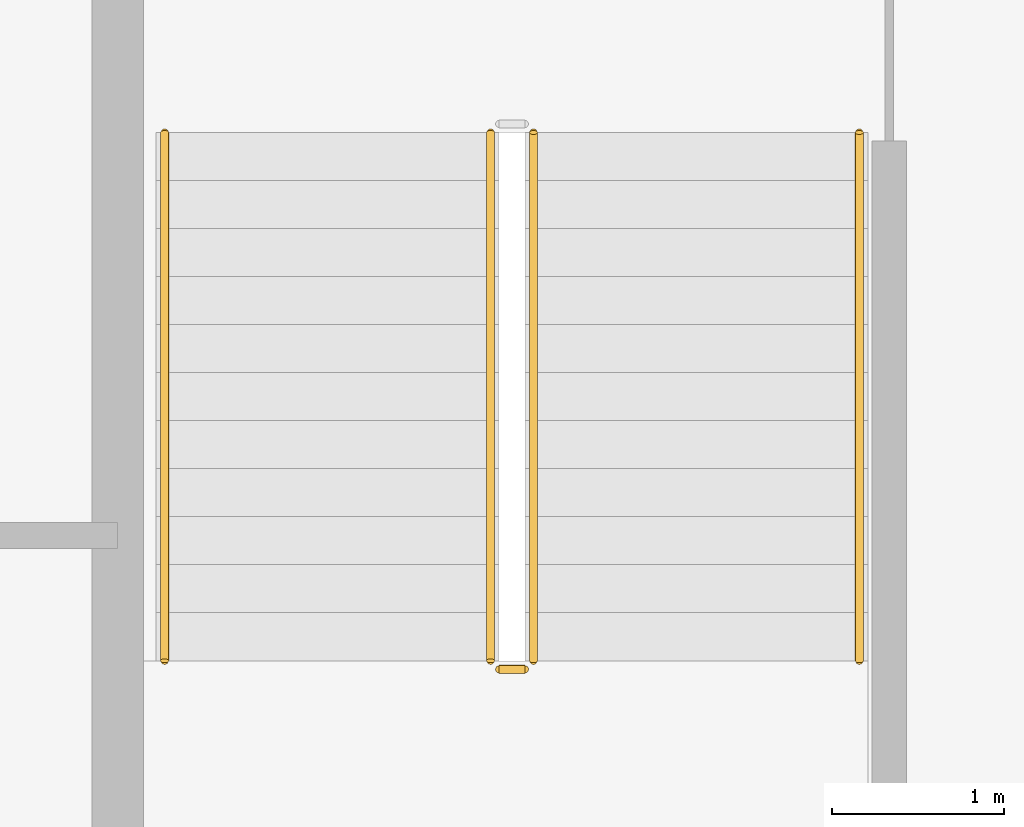
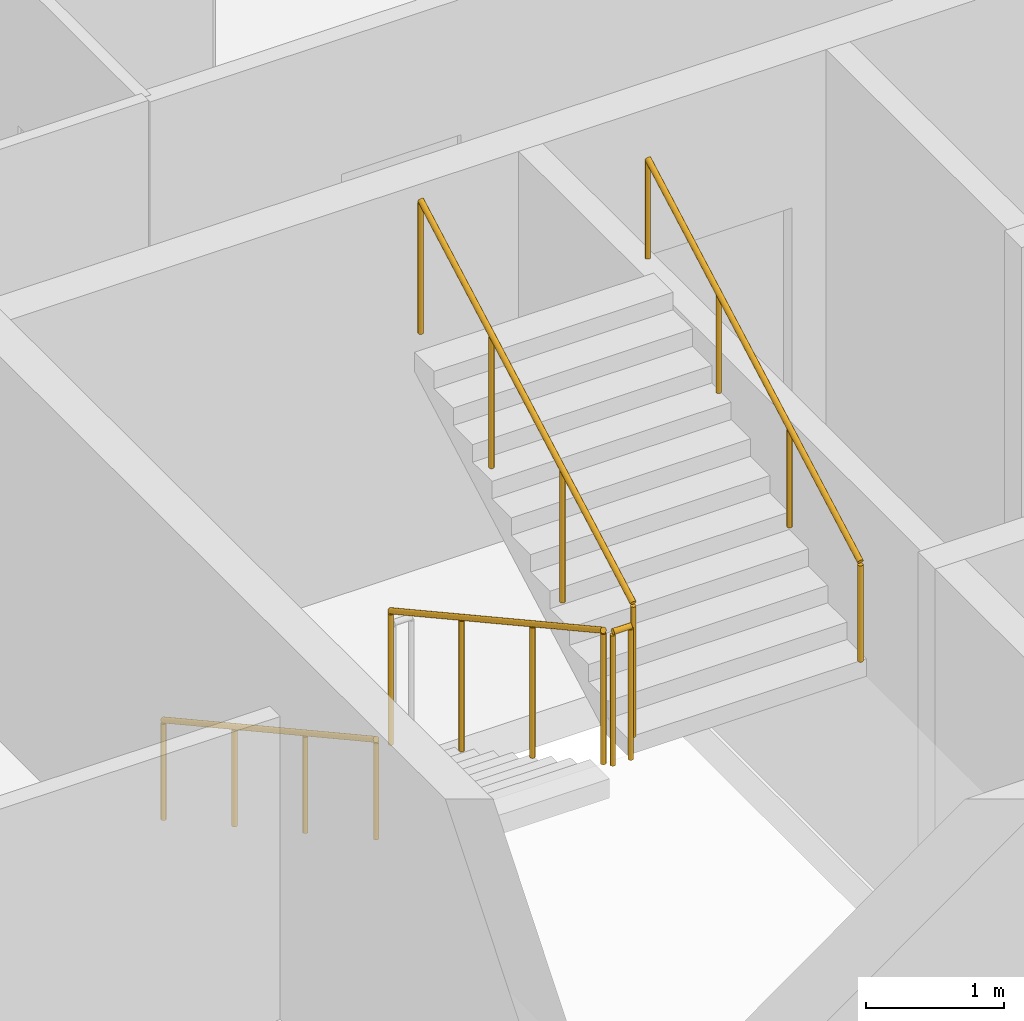
# One storey, part 9 of 11: 5 railings.
"""IFC4 building model written with IfcOpenShell, lengths in metres."""

from ifc_helpers import new_model, si_unit, direction, frame, origin, origin_2d, place, context, subcontext, project, spatial, circle, extrude, material, type_object, element, save


model = new_model("IFC4")

# Units and contexts
model_context = context("Model", 3, precision=1e-05, world=origin(), true_north=direction((0.0, 1.0)))
body_context = subcontext(model_context, "Body", "Model", "MODEL_VIEW")
ifc_project = project(units=[si_unit("LENGTHUNIT", "METRE"), si_unit("AREAUNIT", "SQUARE_METRE"), si_unit("VOLUMEUNIT", "CUBIC_METRE"), si_unit("PLANEANGLEUNIT", "RADIAN"), si_unit("MASSUNIT", "GRAM", prefix="KILO")], contexts=[model_context])

# Site, building, storey
site_placement = place(None, origin())
site = spatial("IfcSite", under=ifc_project, at=site_placement, CompositionType="ELEMENT")
building_placement = place(site_placement, origin())
building = spatial("IfcBuilding", under=site, at=building_placement, Name="Caravel Reach Hotel and Residences", CompositionType="ELEMENT")
storey_placement = place(building_placement, frame((0.0, 0.0, 256.39990234375)))
storey = spatial("IfcBuildingStorey", under=building, at=storey_placement, Name="L65", CompositionType="ELEMENT", Elevation=256.39990234375)

# Railings
ifc_material_1 = material(Name="Steel balustrade with glass infill", Category="steel")
railing_type_1 = type_object("IfcRailingType", Name="Guard 1200", PredefinedType="GUARDRAIL", material=ifc_material_1)
railing_1_placement = place(storey_placement, frame((20.175048828125, 29.35009765625, 0.154296875)))
element("IfcRailing", 1, at=railing_1_placement, inside=storey, type_object=railing_type_1, Name="L65 ST-A stair guard 1", PredefinedType="GUARDRAIL", context=body_context, shape_type="SweptSolid", body=[
    extrude(circle(Radius=0.02392578125, at=origin_2d()), frame((0.0, 0.0, 1.17578125), z_axis=(0.0, -0.876004717809, 0.482302534076), x_axis=(1.0, 0.0, 0.0)), (0.0, 0.0, 1.0), 3.51611328125),
    extrude(circle(Radius=0.02099609375, at=origin_2d()), origin(), (0.0, 0.0, 1.0), 1.15185546875),
    extrude(circle(Radius=0.02099609375, at=origin_2d()), frame((0.0, -1.026611328125, 0.565185546875)), (0.0, 0.0, 1.0), 1.15185546875),
    extrude(circle(Radius=0.02099609375, at=origin_2d()), frame((0.0, -2.053466796875, 1.130615234375)), (0.0, 0.0, 1.0), 1.15185546875),
    extrude(circle(Radius=0.02099609375, at=origin_2d()), frame((0.0, -3.080078125, 1.69580078125)), (0.0, 0.0, 1.0), 1.15185546875),
])
railing_2_placement = place(storey_placement, frame((20.22509765625, 26.219970703125, 1.85009765625)))
element("IfcRailing", 2, at=railing_2_placement, inside=storey, type_object=railing_type_1, Name="L65 ST-A stair guard 2", PredefinedType="GUARDRAIL", context=body_context, shape_type="SweptSolid", body=[
    extrude(circle(Radius=0.02392578125, at=origin_2d()), frame((0.0, 0.0, 1.17578125), z_axis=(1.0, 0.0, 0.0), x_axis=(0.0, 1.0, 0.0)), (0.0, 0.0, 1.0), 0.14990234375),
    extrude(circle(Radius=0.02099609375, at=origin_2d()), origin(), (0.0, 0.0, 1.0), 1.15185546875),
    extrude(circle(Radius=0.02099609375, at=origin_2d()), frame((0.14990234375, 0.0, 0.0)), (0.0, 0.0, 1.0), 1.15185546875),
])
railing_3_placement = place(storey_placement, frame((20.425048828125, 26.27001953125, 2.004150390625)))
element("IfcRailing", 3, at=railing_3_placement, inside=storey, type_object=railing_type_1, Name="L65 ST-A stair guard 3", PredefinedType="GUARDRAIL", context=body_context, shape_type="SweptSolid", body=[
    extrude(circle(Radius=0.02392578125, at=origin_2d()), frame((0.0, 0.0, 1.17578125), z_axis=(0.0, 0.875975380505, 0.482355815502), x_axis=(-1.0, 0.0, 0.0)), (0.0, 0.0, 1.0), 3.51611328125),
    extrude(circle(Radius=0.02099609375, at=origin_2d()), origin(), (0.0, 0.0, 1.0), 1.15185546875),
    extrude(circle(Radius=0.02099609375, at=origin_2d()), frame((0.0, 1.026611328125, 0.5654296875)), (0.0, 0.0, 1.0), 1.15185546875),
    extrude(circle(Radius=0.02099609375, at=origin_2d()), frame((0.0, 2.053466796875, 1.130615234375)), (0.0, 0.0, 1.0), 1.15185546875),
    extrude(circle(Radius=0.02099609375, at=origin_2d()), frame((0.0, 3.080078125, 1.696044921875)), (0.0, 0.0, 1.0), 1.15185546875),
])
ifc_material_2 = material(Name="Stainless steel handrail", Category="steel")
railing_type_2 = type_object("IfcRailingType", Name="Handrail 900", PredefinedType="HANDRAIL", material=ifc_material_2)
railing_4_placement = place(storey_placement, frame((18.27490234375, 29.35009765625, 0.154296875)))
element("IfcRailing", 4, at=railing_4_placement, inside=storey, type_object=railing_type_2, Name="L65 ST-A stair handrail 1", PredefinedType="HANDRAIL", context=body_context, shape_type="SweptSolid", body=[
    extrude(circle(Radius=0.02392578125, at=origin_2d()), frame((0.0, 0.0, 0.8759765625), z_axis=(0.0, -0.876004717809, 0.482302534076), x_axis=(1.0, 0.0, 0.0)), (0.0, 0.0, 1.0), 3.51611328125),
    extrude(circle(Radius=0.02099609375, at=origin_2d()), origin(), (0.0, 0.0, 1.0), 0.851806640625),
    extrude(circle(Radius=0.02099609375, at=origin_2d()), frame((0.0, -1.026611328125, 0.565185546875)), (0.0, 0.0, 1.0), 0.851806640625),
    extrude(circle(Radius=0.02099609375, at=origin_2d()), frame((0.0, -2.053466796875, 1.130615234375)), (0.0, 0.0, 1.0), 0.851806640625),
    extrude(circle(Radius=0.02099609375, at=origin_2d()), frame((0.0, -3.080078125, 1.69580078125)), (0.0, 0.0, 1.0), 0.851806640625),
])
railing_5_placement = place(storey_placement, frame((22.324951171875, 26.27001953125, 2.004150390625)))
element("IfcRailing", 5, at=railing_5_placement, inside=storey, type_object=railing_type_2, Name="L65 ST-A stair handrail 2", PredefinedType="HANDRAIL", context=body_context, shape_type="SweptSolid", body=[
    extrude(circle(Radius=0.02392578125, at=origin_2d()), frame((0.0, 0.0, 0.8759765625), z_axis=(0.0, 0.875975380505, 0.482355815502), x_axis=(-1.0, 0.0, 0.0)), (0.0, 0.0, 1.0), 3.51611328125),
    extrude(circle(Radius=0.02099609375, at=origin_2d()), origin(), (0.0, 0.0, 1.0), 0.851806640625),
    extrude(circle(Radius=0.02099609375, at=origin_2d()), frame((0.0, 1.026611328125, 0.5654296875)), (0.0, 0.0, 1.0), 0.851806640625),
    extrude(circle(Radius=0.02099609375, at=origin_2d()), frame((0.0, 2.053466796875, 1.130615234375)), (0.0, 0.0, 1.0), 0.851806640625),
    extrude(circle(Radius=0.02099609375, at=origin_2d()), frame((0.0, 3.080078125, 1.696044921875)), (0.0, 0.0, 1.0), 0.851806640625),
])

save(model, "model.ifc")
